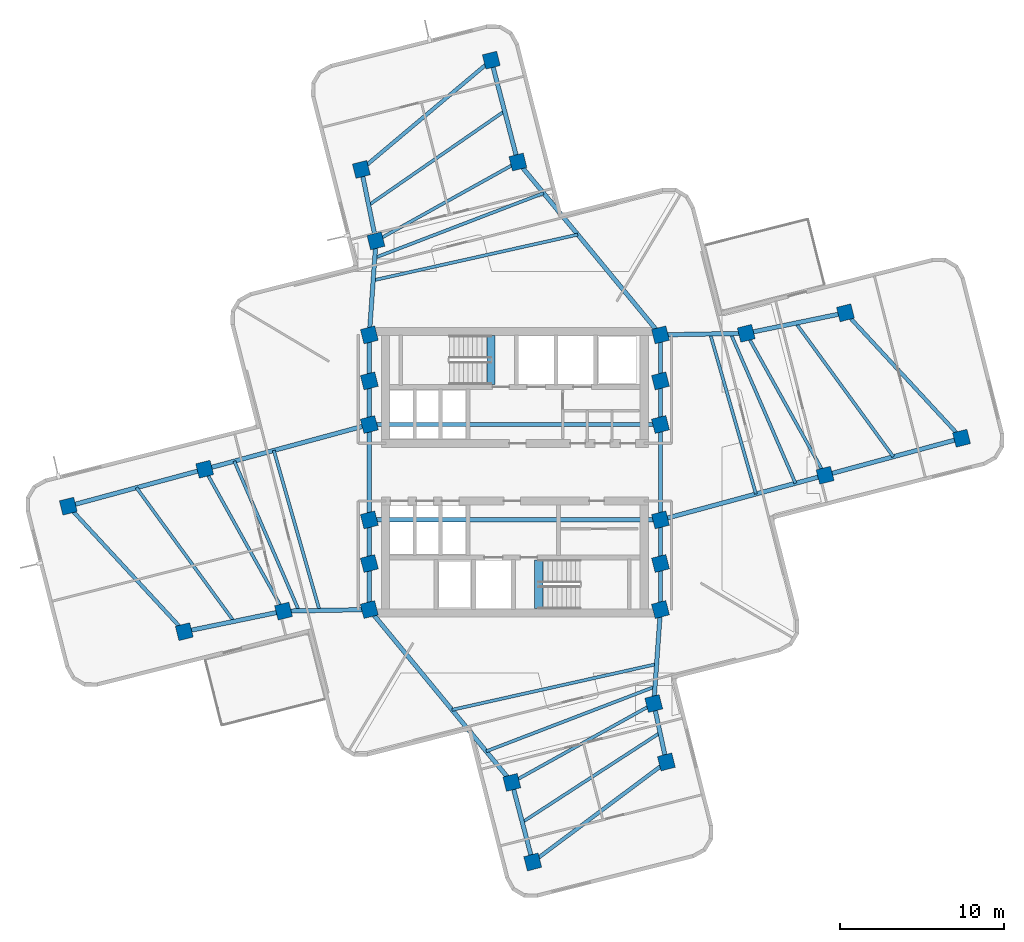
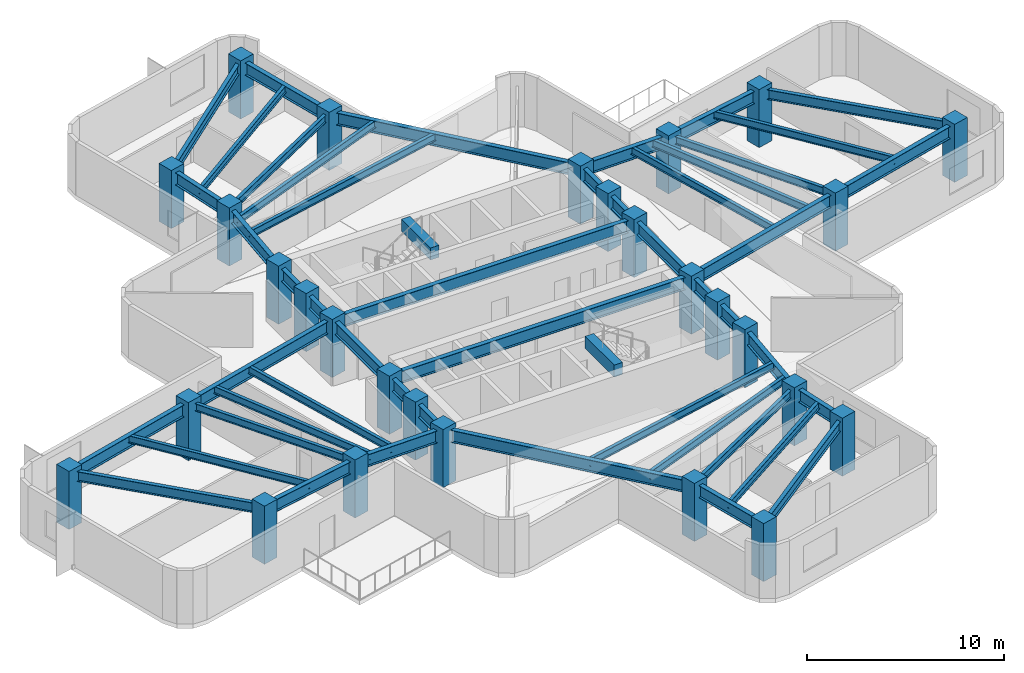
# One storey, part 1 of 9: 50 beams, 28 columns.
"""IFC4 building model written with IfcOpenShell, lengths in metres."""

import ifcopenshell
import ifcopenshell.guid

model = None  # the IFC model being written
_history = None  # IfcOwnerHistory: only IFC2X3 demands one
_inside = {}  # id of a spatial element -> (the spatial element, [elements in it])
_under = {}  # id of a project, library or spatial element -> (it, [spatial elements below it])
_declared = {}  # id of a project -> (the project, [libraries it declares])
_typed = {}  # id of a type object -> (the type object, [elements of that type])
_made_of = {}  # id of a material, layer set ... -> (it, [elements and type objects made of it])


def new_model(schema):
    """Start an empty IFC model of exactly this schema.

    Asked for "IFC4X3", IfcOpenShell would pick the latest addendum, in which some entities
    have other attributes; the version numbers below select the first issue.
    IFC2X3 requires an IfcOwnerHistory on every rooted entity: one is made here for all.
    """
    global model, _history
    if schema == "IFC4X3":
        model = ifcopenshell.file(schema_version=(4, 3, 0, 0))
    else:
        model = ifcopenshell.file(schema=schema)
    _inside.clear()
    _under.clear()
    _declared.clear()
    _typed.clear()
    _made_of.clear()
    _history = None
    if model.schema == "IFC2X3":
        org = make("IfcOrganization", Name="unknown")
        user = make(
            "IfcPersonAndOrganization",
            ThePerson=make("IfcPerson", FamilyName="unknown"),
            TheOrganization=org,
        )
        app = make(
            "IfcApplication",
            ApplicationDeveloper=org,
            Version="unknown",
            ApplicationFullName="unknown",
            ApplicationIdentifier="unknown",
        )
        _history = make(
            "IfcOwnerHistory",
            OwningUser=user,
            OwningApplication=app,
            ChangeAction="ADDED",
            CreationDate=0,
        )
    return model


def make(cls, **values):
    """One entity of the class cls with the attributes given. An attribute that is None is left unset."""
    return model.create_entity(
        cls, **{name: value for name, value in values.items() if value is not None}
    )


def rooted(cls, **values):
    """An entity with a GlobalId (a new one), such as an element, a storey or a relation."""
    return make(cls, GlobalId=ifcopenshell.guid.new(), OwnerHistory=_history, **values)


def si_unit(unit_type, name, prefix=None):
    """IfcSIUnit, for example si_unit("LENGTHUNIT", "METRE", prefix="MILLI")."""
    return make("IfcSIUnit", UnitType=unit_type, Prefix=prefix, Name=name)


def assignment(units):
    """IfcUnitAssignment: the units of a project."""
    return None if units is None else make("IfcUnitAssignment", Units=units)


def point(xyz):
    """IfcCartesianPoint."""
    return None if xyz is None else make("IfcCartesianPoint", Coordinates=xyz)


def direction(xyz):
    """IfcDirection."""
    return None if xyz is None else make("IfcDirection", DirectionRatios=xyz)


def frame(location, z_axis=None, x_axis=None):
    """IfcAxis2Placement3D, a coordinate frame: its origin and axes. An axis left out is left unset."""
    return make(
        "IfcAxis2Placement3D",
        Location=point(location),
        Axis=direction(z_axis),
        RefDirection=direction(x_axis),
    )


def frame_2d(location, x_axis=None):
    """IfcAxis2Placement2D, a coordinate frame in the plane: its origin and x axis."""
    return make(
        "IfcAxis2Placement2D", Location=point(location), RefDirection=direction(x_axis)
    )


def origin():
    """The frame at (0, 0, 0) with its axes left unset."""
    return frame((0.0, 0.0, 0.0))


def origin_2d():
    """The frame at (0, 0) in the plane with its x axis left unset."""
    return frame_2d((0.0, 0.0))


def place(relative_to, where):
    """IfcLocalPlacement: puts the frame where relative to a parent placement (None: the world)."""
    return make(
        "IfcLocalPlacement", PlacementRelTo=relative_to, RelativePlacement=where
    )


def context(
    kind, dimensions, precision=None, world=None, true_north=None, identifier=None
):
    """IfcGeometricRepresentationContext, for example the 3D "Model" context."""
    return make(
        "IfcGeometricRepresentationContext",
        ContextIdentifier=identifier,
        ContextType=kind,
        CoordinateSpaceDimension=dimensions,
        Precision=precision,
        WorldCoordinateSystem=world,
        TrueNorth=true_north,
    )


def subcontext(parent, identifier, kind, view, scale=None):
    """IfcGeometricRepresentationSubContext, for example "Body" below "Model"."""
    return make(
        "IfcGeometricRepresentationSubContext",
        ContextIdentifier=identifier,
        ContextType=kind,
        ParentContext=parent,
        TargetScale=scale,
        TargetView=view,
    )


def project(units=None, contexts=None):
    """IfcProject with its units and contexts."""
    return rooted(
        "IfcProject",
        Name="project",
        RepresentationContexts=contexts,
        UnitsInContext=assignment(units),
    )


def spatial(cls, under=None, at=None, **own):
    """A site, building, storey or space (cls), placed at a placement, below another one or the project."""
    s = rooted(cls, ObjectPlacement=at, **own)
    if under is not None:
        _under.setdefault(under.id(), (under, []))[1].append(s)
    return s


def profile(cls, at=None, kind="AREA", **sizes):
    """A parametric profile (cls). Its sizes go by their IFC names, for example OverallWidth=200.0."""
    return make(cls, ProfileType=kind, Position=at, **sizes)


def rectangle(**sizes):
    """IfcRectangleProfileDef."""
    return profile("IfcRectangleProfileDef", **sizes)


def i_section(**sizes):
    """IfcIShapeProfileDef."""
    return profile("IfcIShapeProfileDef", **sizes)


def extrude(swept, where, along, depth):
    """IfcExtrudedAreaSolid: the profile swept, set in the frame where, extruded along a direction by depth."""
    return make(
        "IfcExtrudedAreaSolid",
        SweptArea=swept,
        Position=where,
        ExtrudedDirection=direction(along),
        Depth=depth,
    )


def shape(context_of_items, identifier, shape_type, items):
    """IfcShapeRepresentation: the items that make up one representation, for example the "Body"."""
    return make(
        "IfcShapeRepresentation",
        ContextOfItems=context_of_items,
        RepresentationIdentifier=identifier,
        RepresentationType=shape_type,
        Items=items,
    )


def material(Name=None, Category=None):
    """IfcMaterial."""
    return make("IfcMaterial", Name=Name, Category=Category)


def material_profile(
    of_material, cross_section, Name=None, Category=None, Priority=None
):
    """IfcMaterialProfile: a cross section and its material."""
    return make(
        "IfcMaterialProfile",
        Name=Name,
        Material=of_material,
        Profile=cross_section,
        Priority=Priority,
        Category=Category,
    )


def profile_set(profiles, Name=None, composite=None):
    """IfcMaterialProfileSet."""
    return make(
        "IfcMaterialProfileSet",
        Name=Name,
        MaterialProfiles=profiles,
        CompositeProfile=composite,
    )


def made_of(thing, what):
    """Note that an element or type object is made of a material, layer set ...; save() writes the relation."""
    if what is not None:
        _made_of.setdefault(what.id(), (what, []))[1].append(thing)
    return thing


def type_object(cls, material=None, **own):
    """A type object (cls), such as IfcWallType, which elements share."""
    return made_of(rooted(cls, **own), material)


def element(
    cls,
    number,
    at=None,
    inside=None,
    cuts=None,
    type_object=None,
    material=None,
    context=None,
    identifier="Body",
    shape_type=None,
    held_by="IfcProductDefinitionShape",
    body=None,
    shapes=None,
    **own,
):
    """One element of the class cls, such as IfcWall. Its Tag is "e" and its number.

    at: its placement. inside: the storey or other place that contains it. cuts: it is an
    opening in that element (IfcRelVoidsElement). A single representation is given by context,
    identifier, shape_type and body (its items); several are given by shapes. held_by: the class
    of the entity that holds the representations. save() writes the other relations.
    """
    e = rooted(cls, Tag="e%d" % number, ObjectPlacement=at, **own)
    if body is not None:
        shapes = [shape(context, identifier, shape_type, body)]
    if shapes is not None:
        e.Representation = make(held_by, Representations=shapes)
    if inside is not None:
        _inside.setdefault(inside.id(), (inside, []))[1].append(e)
    if cuts is not None:
        rooted(
            "IfcRelVoidsElement", RelatingBuildingElement=cuts, RelatedOpeningElement=e
        )
    if type_object is not None:
        _typed.setdefault(type_object.id(), (type_object, []))[1].append(e)
    return made_of(e, material)


def aggregate(whole, parts):
    """IfcRelAggregates: a whole, such as a stair, and the parts it consists of."""
    return rooted("IfcRelAggregates", RelatingObject=whole, RelatedObjects=parts)


def save(model, path):
    """Write the relations noted so far, then the file.

    IfcRelAggregates (storeys below a building ...), IfcRelContainedInSpatialStructure (elements
    in a storey), IfcRelDefinesByType, IfcRelAssociatesMaterial and IfcRelDeclares: one each for
    every whole, place, type object, material and project.
    """
    for whole, parts in _under.values():
        aggregate(whole, parts)
    for where, things in _inside.values():
        rooted(
            "IfcRelContainedInSpatialStructure",
            RelatedElements=things,
            RelatingStructure=where,
        )
    for kind, things in _typed.values():
        rooted("IfcRelDefinesByType", RelatedObjects=things, RelatingType=kind)
    for what, things in _made_of.values():
        rooted("IfcRelAssociatesMaterial", RelatedObjects=things, RelatingMaterial=what)
    for by, libraries in _declared.values():
        rooted("IfcRelDeclares", RelatingContext=by, RelatedDefinitions=libraries)
    model.write(path)


model = new_model("IFC4")

# Units and contexts
model_context = context("Model", 3, precision=1e-05, world=origin(), true_north=direction((0.0, 1.0)))
body_context = subcontext(model_context, "Body", "Model", "MODEL_VIEW")
ifc_project = project(units=[si_unit("LENGTHUNIT", "METRE"), si_unit("AREAUNIT", "SQUARE_METRE"), si_unit("VOLUMEUNIT", "CUBIC_METRE"), si_unit("PLANEANGLEUNIT", "RADIAN"), si_unit("MASSUNIT", "GRAM", prefix="KILO")], contexts=[model_context])

# Site, building, storey
site_placement = place(None, origin())
site = spatial("IfcSite", under=ifc_project, at=site_placement, CompositionType="ELEMENT")
building_placement = place(site_placement, origin())
building = spatial("IfcBuilding", under=site, at=building_placement, Name="Solmarez Civic Tower", CompositionType="ELEMENT")
storey_placement = place(building_placement, frame((0.0, 0.0, 130.679931640625)))
storey = spatial("IfcBuildingStorey", under=building, at=storey_placement, Name="L34", CompositionType="ELEMENT", Elevation=130.679931640625)

# Columns
ifc_material_1 = material(Name="Concrete C50/60", Category="concrete")
ifc_material_profile_1 = material_profile(ifc_material_1, rectangle(XDim=0.89990234375, YDim=0.89990234375, at=origin_2d()), Name="RC900X900")
ifc_profile_set_1 = profile_set([ifc_material_profile_1], Name="Concrete C50/60")
column_type = type_object("IfcColumnType", Name="COL-RC900", PredefinedType="COLUMN", material=ifc_profile_set_1)
for number, where, z_axis, x_axis, name in (
    (1, (-8.85009765625, -5.550048828125, 0.0), (0.0, 0.0, 1.0), (0.969445349895, 0.245307385879, 0.0), "L34 Structural Column HC1"),
    (2, (-8.85009765625, -2.89990234375, 0.0), (0.0, 0.0, 1.0), (0.969445349895, 0.245307385879, 0.0), "L34 Structural Column HC2"),
    (3, (-8.85009765625, 2.89990234375, 0.0), (0.0, 0.0, 1.0), (0.969445349895, 0.245307385879, 0.0), "L34 Structural Column HC3"),
    (4, (-8.85009765625, 5.550048828125, 0.0), (0.0, 0.0, 1.0), (0.969445349895, 0.245307385879, 0.0), "L34 Structural Column HC4"),
    (5, (8.85009765625, -5.550048828125, 0.0), (0.0, 0.0, 1.0), (0.969445349895, 0.245307385879, 0.0), "L34 Structural Column HC5"),
    (6, (8.85009765625, -2.89990234375, 0.0), (0.0, 0.0, 1.0), (0.969445349895, 0.245307385879, 0.0), "L34 Structural Column HC6"),
    (7, (8.85009765625, 2.89990234375, 0.0), (0.0, 0.0, 1.0), (0.969445349895, 0.245307385879, 0.0), "L34 Structural Column HC7"),
    (8, (8.85009765625, 5.550048828125, 0.0), (0.0, 0.0, 1.0), (0.969445349895, 0.245307385879, 0.0), "L34 Structural Column HC8"),
    (9, (-8.85009765625, 8.35009765625, 0.0), (0.0, 0.0, 1.0), (0.969445349895, 0.245307385879, 0.0), "L34 Structural Column HC9"),
    (10, (8.85009765625, -8.35009765625, 0.0), (0.0, 0.0, 1.0), (0.969445349895, 0.245307385879, 0.0), "L34 Structural Column HC10"),
    (11, (8.85009765625, 8.35009765625, 0.0), (0.0, 0.0, 1.0), (0.969445349895, 0.245307385879, 0.0), "L34 Structural Column HC11"),
    (12, (-8.85009765625, -8.35009765625, 0.0), (0.0, 0.0, 1.0), (0.969445349895, 0.245307385879, 0.0), "L34 Structural Column HC12"),
    (13, (18.860107421875, -0.18310546875, 0.0), (0.0, 0.0, 1.0), (0.969445349895, 0.245307385879, 0.0), "L34 Structural Column EA11"),
    (14, (14.06396484375, 8.445068359375, 0.0), (0.0, 0.0, 1.0), (0.969445349895, 0.245307385879, 0.0), "L34 Structural Column EA12"),
    (15, (27.153076171875, 2.06396484375, 0.0), (0.0, 0.0, 1.0), (0.969445349895, 0.245307385879, 0.0), "L34 Structural Column EA21"),
    (16, (20.097900390625, 9.69189453125, 0.0), (0.0, 0.0, 1.0), (0.969445349895, 0.245307385879, 0.0), "L34 Structural Column EA22"),
    (17, (0.18310546875, 18.860107421875, 0.0), (0.0, 0.0, 1.0), (0.969445349895, 0.245307385879, 0.0), "L34 Structural Column NA11"),
    (18, (-8.445068359375, 14.06396484375, 0.0), (0.0, 0.0, 1.0), (0.969445349895, 0.245307385879, 0.0), "L34 Structural Column NA12"),
    (19, (-1.43701171875, 25.052001953125, 0.0), (0.0, 0.0, 1.0), (0.969445349895, 0.245307385879, 0.0), "L34 Structural Column NA21"),
    (20, (-9.3330078125, 18.408935546875, 0.0), (0.0, 0.0, 1.0), (0.969445349895, 0.245307385879, 0.0), "L34 Structural Column NA22"),
    (21, (-18.860107421875, 0.18310546875, 0.0), (0.0, 0.0, 1.0), (0.969445349895, 0.245307385879, 0.0), "L34 Structural Column WA11"),
    (22, (-14.06396484375, -8.445068359375, 0.0), (0.0, 0.0, 1.0), (0.969445349895, 0.245307385879, 0.0), "L34 Structural Column WA12"),
    (23, (-27.153076171875, -2.06396484375, 0.0), (0.0, 0.0, 1.0), (0.969445349895, 0.245307385879, 0.0), "L34 Structural Column WA21"),
    (24, (-20.097900390625, -9.69189453125, 0.0), (0.0, 0.0, 1.0), (0.969445349895, 0.245307385879, 0.0), "L34 Structural Column WA22"),
    (25, (-0.18310546875, -18.860107421875, 0.0), (0.0, 0.0, 1.0), (0.969445349895, 0.245307385879, 0.0), "L34 Structural Column SA11"),
    (26, (8.445068359375, -14.06396484375, 0.0), (0.0, 0.0, 1.0), (0.969445349895, 0.245307385879, 0.0), "L34 Structural Column SA12"),
    (27, (1.0830078125, -23.697021484375, 0.0), (0.0, 0.0, 1.0), (0.969445349895, 0.245307385879, 0.0), "L34 Structural Column SA21"),
    (28, (9.2080078125, -17.614990234375, 0.0), (0.0, 0.0, 1.0), (0.969445349895, 0.245307385879, 0.0), "L34 Structural Column SA22"),
):
    element("IfcColumn", number, at=place(storey_placement, frame(where, z_axis=z_axis, x_axis=x_axis)), inside=storey, type_object=column_type, Name=name, PredefinedType="COLUMN", context=body_context, shape_type="SweptSolid", body=[
        extrude(rectangle(XDim=0.89990234375, YDim=0.89990234375, at=origin_2d()), origin(), (0.0, 0.0, 1.0), 3.60009765625),
    ])

# Beams
ifc_material_2 = material(Name="Steel S355", Category="steel")
ifc_material_profile_2 = material_profile(ifc_material_2, i_section(OverallWidth=0.19189453125, OverallDepth=0.462890625, WebThickness=0.010498046875, FlangeThickness=0.017578125, at=origin_2d()), Name="W18X60")
ifc_profile_set_2 = profile_set([ifc_material_profile_2], Name="Steel S355")
beam_type_1 = type_object("IfcBeamType", Name="BM-JS-W18X60", PredefinedType="JOIST", material=ifc_profile_set_2)
beam_1_placement = place(storey_placement, frame((18.860107421875, -0.18310546875, 3.088134765625), z_axis=(-0.485852902718, 0.874040592261, 0.0), x_axis=(-0.874040592261, -0.485852902718, 0.0)))
element("IfcBeam", 29, at=beam_1_placement, inside=storey, type_object=beam_type_1, Name="L34 Secondary Floor Joist BM-L34-EA-T1", PredefinedType="JOIST", context=body_context, shape_type="SweptSolid", body=[
    extrude(i_section(OverallWidth=0.19189453125, OverallDepth=0.462890625, WebThickness=0.010498046875, FlangeThickness=0.017578125, at=origin_2d()), origin(), (0.0, 0.0, 1.0), 9.87158203125),
])
beam_2_placement = place(storey_placement, frame((23.006103515625, 0.94091796875, 3.088134765625), z_axis=(-0.589058914091, 0.808090091345, 0.0), x_axis=(-0.808090091345, -0.589058914091, 0.0)))
element("IfcBeam", 30, at=beam_2_placement, inside=storey, type_object=beam_type_1, Name="L34 Secondary Floor Joist JS-L34-EA-M2", PredefinedType="JOIST", context=body_context, shape_type="SweptSolid", body=[
    extrude(i_section(OverallWidth=0.19189453125, OverallDepth=0.462890625, WebThickness=0.010498046875, FlangeThickness=0.017578125, at=origin_2d()), origin(), (0.0, 0.0, 1.0), 10.05859375),
])
beam_3_placement = place(storey_placement, frame((14.656005859375, -1.323974609375, 3.088134765625), z_axis=(-0.27492825036, 0.961464745664, 0.0), x_axis=(-0.961464745664, -0.27492825036, 0.0)))
element("IfcBeam", 31, at=beam_3_placement, inside=storey, type_object=beam_type_1, Name="L34 Secondary Floor Joist JS-L34-EA-M11", PredefinedType="JOIST", context=body_context, shape_type="SweptSolid", body=[
    extrude(i_section(OverallWidth=0.19189453125, OverallDepth=0.462890625, WebThickness=0.010498046875, FlangeThickness=0.017578125, at=origin_2d()), origin(), (0.0, 0.0, 1.0), 10.118896484375),
])
beam_4_placement = place(storey_placement, frame((17.05810546875, -0.672119140625, 3.088134765625), z_axis=(-0.396735074316, 0.917933157048, 0.0), x_axis=(-0.917933157048, -0.396735074316, 0.0)))
element("IfcBeam", 32, at=beam_4_placement, inside=storey, type_object=beam_type_1, Name="L34 Secondary Floor Joist JS-L34-EA-M12", PredefinedType="JOIST", context=body_context, shape_type="SweptSolid", body=[
    extrude(i_section(OverallWidth=0.19189453125, OverallDepth=0.462890625, WebThickness=0.010498046875, FlangeThickness=0.017578125, at=origin_2d()), origin(), (0.0, 0.0, 1.0), 9.91357421875),
])
beam_5_placement = place(storey_placement, frame((0.18310546875, 18.860107421875, 3.088134765625), z_axis=(-0.874040592261, -0.485852902718, 0.0), x_axis=(0.485852902718, -0.874040592261, 0.0)))
element("IfcBeam", 33, at=beam_5_placement, inside=storey, type_object=beam_type_1, Name="L34 Secondary Floor Joist BM-L34-NA-T1", PredefinedType="JOIST", context=body_context, shape_type="SweptSolid", body=[
    extrude(i_section(OverallWidth=0.19189453125, OverallDepth=0.462890625, WebThickness=0.010498046875, FlangeThickness=0.017578125, at=origin_2d()), origin(), (0.0, 0.0, 1.0), 9.87158203125),
])
beam_6_placement = place(storey_placement, frame((-0.626953125, 21.9560546875, 3.088134765625), z_axis=(-0.822185194468, -0.56922008573, 0.0), x_axis=(0.56922008573, -0.822185194468, 0.0)))
element("IfcBeam", 34, at=beam_6_placement, inside=storey, type_object=beam_type_1, Name="L34 Secondary Floor Joist JS-L34-NA-M2", PredefinedType="JOIST", context=body_context, shape_type="SweptSolid", body=[
    extrude(i_section(OverallWidth=0.19189453125, OverallDepth=0.462890625, WebThickness=0.010498046875, FlangeThickness=0.017578125, at=origin_2d()), origin(), (0.0, 0.0, 1.0), 10.048828125),
])
beam_7_placement = place(storey_placement, frame((3.822998046875, 14.446044921875, 3.088134765625), z_axis=(-0.975887310906, -0.218274955988, 0.0), x_axis=(0.218274955988, -0.975887310906, 0.0)))
element("IfcBeam", 35, at=beam_7_placement, inside=storey, type_object=beam_type_1, Name="L34 Secondary Floor Joist JS-L34-NA-M11", PredefinedType="JOIST", context=body_context, shape_type="SweptSolid", body=[
    extrude(i_section(OverallWidth=0.19189453125, OverallDepth=0.462890625, WebThickness=0.010498046875, FlangeThickness=0.017578125, at=origin_2d()), origin(), (0.0, 0.0, 1.0), 12.745361328125),
])
beam_8_placement = place(storey_placement, frame((1.742919921875, 16.968017578125, 3.088134765625), z_axis=(-0.933754408709, -0.357914381125, 0.0), x_axis=(0.357914381125, -0.933754408709, 0.0)))
element("IfcBeam", 36, at=beam_8_placement, inside=storey, type_object=beam_type_1, Name="L34 Secondary Floor Joist JS-L34-NA-M12", PredefinedType="JOIST", context=body_context, shape_type="SweptSolid", body=[
    extrude(i_section(OverallWidth=0.19189453125, OverallDepth=0.462890625, WebThickness=0.010498046875, FlangeThickness=0.017578125, at=origin_2d()), origin(), (0.0, 0.0, 1.0), 10.989013671875),
])
beam_9_placement = place(storey_placement, frame((-18.860107421875, 0.18310546875, 3.088134765625), z_axis=(0.485852902718, -0.874040592261, 0.0), x_axis=(0.874040592261, 0.485852902718, 0.0)))
element("IfcBeam", 37, at=beam_9_placement, inside=storey, type_object=beam_type_1, Name="L34 Secondary Floor Joist BM-L34-WA-T1", PredefinedType="JOIST", context=body_context, shape_type="SweptSolid", body=[
    extrude(i_section(OverallWidth=0.19189453125, OverallDepth=0.462890625, WebThickness=0.010498046875, FlangeThickness=0.017578125, at=origin_2d()), origin(), (0.0, 0.0, 1.0), 9.87158203125),
])
beam_10_placement = place(storey_placement, frame((-23.006103515625, -0.94091796875, 3.088134765625), z_axis=(0.589058914091, -0.808090091345, 0.0), x_axis=(0.808090091345, 0.589058914091, 0.0)))
element("IfcBeam", 38, at=beam_10_placement, inside=storey, type_object=beam_type_1, Name="L34 Secondary Floor Joist JS-L34-WA-M2", PredefinedType="JOIST", context=body_context, shape_type="SweptSolid", body=[
    extrude(i_section(OverallWidth=0.19189453125, OverallDepth=0.462890625, WebThickness=0.010498046875, FlangeThickness=0.017578125, at=origin_2d()), origin(), (0.0, 0.0, 1.0), 10.05859375),
])
beam_11_placement = place(storey_placement, frame((-14.656005859375, 1.323974609375, 3.088134765625), z_axis=(0.27492825036, -0.961464745664, 0.0), x_axis=(0.961464745664, 0.27492825036, 0.0)))
element("IfcBeam", 39, at=beam_11_placement, inside=storey, type_object=beam_type_1, Name="L34 Secondary Floor Joist JS-L34-WA-M11", PredefinedType="JOIST", context=body_context, shape_type="SweptSolid", body=[
    extrude(i_section(OverallWidth=0.19189453125, OverallDepth=0.462890625, WebThickness=0.010498046875, FlangeThickness=0.017578125, at=origin_2d()), origin(), (0.0, 0.0, 1.0), 10.118896484375),
])
beam_12_placement = place(storey_placement, frame((-17.05810546875, 0.672119140625, 3.088134765625), z_axis=(0.396735074316, -0.917933157048, 0.0), x_axis=(0.917933157048, 0.396735074316, 0.0)))
element("IfcBeam", 40, at=beam_12_placement, inside=storey, type_object=beam_type_1, Name="L34 Secondary Floor Joist JS-L34-WA-M12", PredefinedType="JOIST", context=body_context, shape_type="SweptSolid", body=[
    extrude(i_section(OverallWidth=0.19189453125, OverallDepth=0.462890625, WebThickness=0.010498046875, FlangeThickness=0.017578125, at=origin_2d()), origin(), (0.0, 0.0, 1.0), 9.91357421875),
])
beam_13_placement = place(storey_placement, frame((-0.18310546875, -18.860107421875, 3.088134765625), z_axis=(0.874040592261, 0.485852902718, 0.0), x_axis=(-0.485852902718, 0.874040592261, 0.0)))
element("IfcBeam", 41, at=beam_13_placement, inside=storey, type_object=beam_type_1, Name="L34 Secondary Floor Joist BM-L34-SA-T1", PredefinedType="JOIST", context=body_context, shape_type="SweptSolid", body=[
    extrude(i_section(OverallWidth=0.19189453125, OverallDepth=0.462890625, WebThickness=0.010498046875, FlangeThickness=0.017578125, at=origin_2d()), origin(), (0.0, 0.0, 1.0), 9.87158203125),
])
beam_14_placement = place(storey_placement, frame((0.449951171875, -21.279052734375, 3.088134765625), z_axis=(0.83864684805, 0.54467555871, 0.0), x_axis=(-0.54467555871, 0.83864684805, 0.0)))
element("IfcBeam", 42, at=beam_14_placement, inside=storey, type_object=beam_type_1, Name="L34 Secondary Floor Joist JS-L34-SA-M2", PredefinedType="JOIST", context=body_context, shape_type="SweptSolid", body=[
    extrude(i_section(OverallWidth=0.19189453125, OverallDepth=0.462890625, WebThickness=0.010498046875, FlangeThickness=0.017578125, at=origin_2d()), origin(), (0.0, 0.0, 1.0), 9.987548828125),
])
beam_15_placement = place(storey_placement, frame((-3.822998046875, -14.446044921875, 3.088134765625), z_axis=(0.975887310906, 0.218274955988, 0.0), x_axis=(-0.218274955988, 0.975887310906, 0.0)))
element("IfcBeam", 43, at=beam_15_placement, inside=storey, type_object=beam_type_1, Name="L34 Secondary Floor Joist JS-L34-SA-M11", PredefinedType="JOIST", context=body_context, shape_type="SweptSolid", body=[
    extrude(i_section(OverallWidth=0.19189453125, OverallDepth=0.462890625, WebThickness=0.010498046875, FlangeThickness=0.017578125, at=origin_2d()), origin(), (0.0, 0.0, 1.0), 12.745361328125),
])
beam_16_placement = place(storey_placement, frame((-1.742919921875, -16.968017578125, 3.088134765625), z_axis=(0.933754408709, 0.357914381125, 0.0), x_axis=(-0.357914381125, 0.933754408709, 0.0)))
element("IfcBeam", 44, at=beam_16_placement, inside=storey, type_object=beam_type_1, Name="L34 Secondary Floor Joist JS-L34-SA-M12", PredefinedType="JOIST", context=body_context, shape_type="SweptSolid", body=[
    extrude(i_section(OverallWidth=0.19189453125, OverallDepth=0.462890625, WebThickness=0.010498046875, FlangeThickness=0.017578125, at=origin_2d()), origin(), (0.0, 0.0, 1.0), 10.989013671875),
])
ifc_material_profile_3 = material_profile(ifc_material_1, rectangle(XDim=0.5, YDim=0.75, at=origin_2d()), Name="RC500X750")
ifc_profile_set_3 = profile_set([ifc_material_profile_3], Name="Concrete C50/60")
beam_type_2 = type_object("IfcBeamType", Name="BM-PR-RC500X750", PredefinedType="BEAM", material=ifc_profile_set_3)
for number, where, z_axis, x_axis, name in (
    (45, (-1.449951171875, 5.340087890625, 3.233154296875), (0.0, 1.0, 0.0), (-1.0, 0.0, 0.0), "L34 North Stair Threshold Beam"),
    (46, (1.449951171875, -8.300048828125, 3.233154296875), (0.0, 1.0, 0.0), (-1.0, 0.0, 0.0), "L34 South Stair Threshold Beam"),
):
    element("IfcBeam", number, at=place(storey_placement, frame(where, z_axis=z_axis, x_axis=x_axis)), inside=storey, type_object=beam_type_2, Name=name, PredefinedType="BEAM", context=body_context, shape_type="SweptSolid", body=[
        extrude(rectangle(XDim=0.5, YDim=0.75, at=origin_2d()), origin(), (0.0, 0.0, 1.0), 2.9599609375),
    ])
ifc_material_profile_4 = material_profile(ifc_material_2, i_section(OverallWidth=0.26708984375, OverallDepth=0.761962890625, WebThickness=0.014404296875, FlangeThickness=0.021484375, at=origin_2d()), Name="W30X116")
ifc_profile_set_4 = profile_set([ifc_material_profile_4], Name="Steel S355")
beam_type_3 = type_object("IfcBeamType", Name="BM-PR-W30X116", PredefinedType="BEAM", material=ifc_profile_set_4)
beam_17_placement = place(storey_placement, frame((-8.85009765625, -8.35009765625, 2.93896484375), z_axis=(0.0, 1.0, 0.0), x_axis=(-1.0, 0.0, 0.0)))
element("IfcBeam", 47, at=beam_17_placement, inside=storey, type_object=beam_type_3, Name="L34 Primary Floor Beam BM-L34-HC12-HC1", PredefinedType="BEAM", context=body_context, shape_type="SweptSolid", body=[
    extrude(i_section(OverallWidth=0.26708984375, OverallDepth=0.761962890625, WebThickness=0.014404296875, FlangeThickness=0.021484375, at=origin_2d()), origin(), (0.0, 0.0, 1.0), 2.800048828125),
])
beam_18_placement = place(storey_placement, frame((-8.85009765625, -5.550048828125, 2.93896484375), z_axis=(0.0, 1.0, 0.0), x_axis=(-1.0, 0.0, 0.0)))
element("IfcBeam", 48, at=beam_18_placement, inside=storey, type_object=beam_type_3, Name="L34 Primary Floor Beam BM-L34-HC1-HC2", PredefinedType="BEAM", context=body_context, shape_type="SweptSolid", body=[
    extrude(i_section(OverallWidth=0.26708984375, OverallDepth=0.761962890625, WebThickness=0.014404296875, FlangeThickness=0.021484375, at=origin_2d()), origin(), (0.0, 0.0, 1.0), 2.650146484375),
])
beam_19_placement = place(storey_placement, frame((-8.85009765625, -2.89990234375, 2.93896484375), z_axis=(0.0, 1.0, 0.0), x_axis=(-1.0, 0.0, 0.0)))
element("IfcBeam", 49, at=beam_19_placement, inside=storey, type_object=beam_type_3, Name="L34 Primary Floor Beam BM-L34-HC2-HC3", PredefinedType="BEAM", context=body_context, shape_type="SweptSolid", body=[
    extrude(i_section(OverallWidth=0.26708984375, OverallDepth=0.761962890625, WebThickness=0.014404296875, FlangeThickness=0.021484375, at=origin_2d()), origin(), (0.0, 0.0, 1.0), 5.7998046875),
])
beam_20_placement = place(storey_placement, frame((-8.85009765625, 2.89990234375, 2.93896484375), z_axis=(0.0, 1.0, 0.0), x_axis=(-1.0, 0.0, 0.0)))
element("IfcBeam", 50, at=beam_20_placement, inside=storey, type_object=beam_type_3, Name="L34 Primary Floor Beam BM-L34-HC3-HC4", PredefinedType="BEAM", context=body_context, shape_type="SweptSolid", body=[
    extrude(i_section(OverallWidth=0.26708984375, OverallDepth=0.761962890625, WebThickness=0.014404296875, FlangeThickness=0.021484375, at=origin_2d()), origin(), (0.0, 0.0, 1.0), 2.650146484375),
])
for number, where, z_axis, x_axis, name in (
    (51, (-8.85009765625, 5.550048828125, 2.93896484375), (0.0, 1.0, 0.0), (-1.0, 0.0, 0.0), "L34 Primary Floor Beam BM-L34-HC4-HC9"),
    (52, (8.85009765625, -8.35009765625, 2.93896484375), (0.0, 1.0, 0.0), (-1.0, 0.0, 0.0), "L34 Primary Floor Beam BM-L34-HC10-HC5"),
):
    element("IfcBeam", number, at=place(storey_placement, frame(where, z_axis=z_axis, x_axis=x_axis)), inside=storey, type_object=beam_type_3, Name=name, PredefinedType="BEAM", context=body_context, shape_type="SweptSolid", body=[
        extrude(i_section(OverallWidth=0.26708984375, OverallDepth=0.761962890625, WebThickness=0.014404296875, FlangeThickness=0.021484375, at=origin_2d()), origin(), (0.0, 0.0, 1.0), 2.800048828125),
    ])
beam_21_placement = place(storey_placement, frame((8.85009765625, -5.550048828125, 2.93896484375), z_axis=(0.0, 1.0, 0.0), x_axis=(-1.0, 0.0, 0.0)))
element("IfcBeam", 53, at=beam_21_placement, inside=storey, type_object=beam_type_3, Name="L34 Primary Floor Beam BM-L34-HC5-HC6", PredefinedType="BEAM", context=body_context, shape_type="SweptSolid", body=[
    extrude(i_section(OverallWidth=0.26708984375, OverallDepth=0.761962890625, WebThickness=0.014404296875, FlangeThickness=0.021484375, at=origin_2d()), origin(), (0.0, 0.0, 1.0), 2.650146484375),
])
beam_22_placement = place(storey_placement, frame((8.85009765625, -2.89990234375, 2.93896484375), z_axis=(0.0, 1.0, 0.0), x_axis=(-1.0, 0.0, 0.0)))
element("IfcBeam", 54, at=beam_22_placement, inside=storey, type_object=beam_type_3, Name="L34 Primary Floor Beam BM-L34-HC6-HC7", PredefinedType="BEAM", context=body_context, shape_type="SweptSolid", body=[
    extrude(i_section(OverallWidth=0.26708984375, OverallDepth=0.761962890625, WebThickness=0.014404296875, FlangeThickness=0.021484375, at=origin_2d()), origin(), (0.0, 0.0, 1.0), 5.7998046875),
])
beam_23_placement = place(storey_placement, frame((8.85009765625, 2.89990234375, 2.93896484375), z_axis=(0.0, 1.0, 0.0), x_axis=(-1.0, 0.0, 0.0)))
element("IfcBeam", 55, at=beam_23_placement, inside=storey, type_object=beam_type_3, Name="L34 Primary Floor Beam BM-L34-HC7-HC8", PredefinedType="BEAM", context=body_context, shape_type="SweptSolid", body=[
    extrude(i_section(OverallWidth=0.26708984375, OverallDepth=0.761962890625, WebThickness=0.014404296875, FlangeThickness=0.021484375, at=origin_2d()), origin(), (0.0, 0.0, 1.0), 2.650146484375),
])
beam_24_placement = place(storey_placement, frame((8.85009765625, 5.550048828125, 2.93896484375), z_axis=(0.0, 1.0, 0.0), x_axis=(-1.0, 0.0, 0.0)))
element("IfcBeam", 56, at=beam_24_placement, inside=storey, type_object=beam_type_3, Name="L34 Primary Floor Beam BM-L34-HC8-HC11", PredefinedType="BEAM", context=body_context, shape_type="SweptSolid", body=[
    extrude(i_section(OverallWidth=0.26708984375, OverallDepth=0.761962890625, WebThickness=0.014404296875, FlangeThickness=0.021484375, at=origin_2d()), origin(), (0.0, 0.0, 1.0), 2.800048828125),
])
for number, where, z_axis, x_axis, name in (
    (57, (-8.85009765625, -2.89990234375, 2.93896484375), (1.0, 0.0, 0.0), (0.0, 1.0, 0.0), "L34 Primary Floor Beam BM-L34-HC2-HC6"),
    (58, (-8.85009765625, 2.89990234375, 2.93896484375), (1.0, 0.0, 0.0), (0.0, 1.0, 0.0), "L34 Primary Floor Beam BM-L34-HC3-HC7"),
):
    element("IfcBeam", number, at=place(storey_placement, frame(where, z_axis=z_axis, x_axis=x_axis)), inside=storey, type_object=beam_type_3, Name=name, PredefinedType="BEAM", context=body_context, shape_type="SweptSolid", body=[
        extrude(i_section(OverallWidth=0.26708984375, OverallDepth=0.761962890625, WebThickness=0.014404296875, FlangeThickness=0.021484375, at=origin_2d()), origin(), (0.0, 0.0, 1.0), 17.7001953125),
    ])
beam_25_placement = place(storey_placement, frame((8.85009765625, -2.89990234375, 2.93896484375), z_axis=(0.965086289853, 0.261932153691, 0.0), x_axis=(-0.261932153691, 0.965086289853, 0.0)))
element("IfcBeam", 59, at=beam_25_placement, inside=storey, type_object=beam_type_3, Name="L34 Primary Floor Beam BM-L34-EA-R1A", PredefinedType="BEAM", context=body_context, shape_type="SweptSolid", body=[
    extrude(i_section(OverallWidth=0.26708984375, OverallDepth=0.761962890625, WebThickness=0.014404296875, FlangeThickness=0.021484375, at=origin_2d()), origin(), (0.0, 0.0, 1.0), 10.3720703125),
])
beam_26_placement = place(storey_placement, frame((8.85009765625, 8.35009765625, 2.93896484375), z_axis=(0.999834147765, 0.018212000538, 0.0), x_axis=(-0.018212000538, 0.999834147765, 0.0)))
element("IfcBeam", 60, at=beam_26_placement, inside=storey, type_object=beam_type_3, Name="L34 Primary Floor Beam BM-L34-EA-R1B", PredefinedType="BEAM", context=body_context, shape_type="SweptSolid", body=[
    extrude(i_section(OverallWidth=0.26708984375, OverallDepth=0.761962890625, WebThickness=0.014404296875, FlangeThickness=0.021484375, at=origin_2d()), origin(), (0.0, 0.0, 1.0), 5.21484375),
])
beam_27_placement = place(storey_placement, frame((18.860107421875, -0.18310546875, 2.93896484375), z_axis=(0.965195296066, 0.261530190326, 0.0), x_axis=(-0.261530190326, 0.965195296066, 0.0)))
element("IfcBeam", 61, at=beam_27_placement, inside=storey, type_object=beam_type_3, Name="L34 Primary Floor Beam BM-L34-EA-R2A", PredefinedType="BEAM", context=body_context, shape_type="SweptSolid", body=[
    extrude(i_section(OverallWidth=0.26708984375, OverallDepth=0.761962890625, WebThickness=0.014404296875, FlangeThickness=0.021484375, at=origin_2d()), origin(), (0.0, 0.0, 1.0), 8.592041015625),
])
beam_28_placement = place(storey_placement, frame((14.06396484375, 8.445068359375, 2.93896484375), z_axis=(0.979311082476, 0.202360578523, 0.0), x_axis=(-0.202360578523, 0.979311082476, 0.0)))
element("IfcBeam", 62, at=beam_28_placement, inside=storey, type_object=beam_type_3, Name="L34 Primary Floor Beam BM-L34-EA-R2B", PredefinedType="BEAM", context=body_context, shape_type="SweptSolid", body=[
    extrude(i_section(OverallWidth=0.26708984375, OverallDepth=0.761962890625, WebThickness=0.014404296875, FlangeThickness=0.021484375, at=origin_2d()), origin(), (0.0, 0.0, 1.0), 6.161376953125),
])
beam_29_placement = place(storey_placement, frame((8.85009765625, 8.35009765625, 2.93896484375), z_axis=(-0.636218453069, 0.77150896299, 0.0), x_axis=(-0.77150896299, -0.636218453069, 0.0)))
element("IfcBeam", 63, at=beam_29_placement, inside=storey, type_object=beam_type_3, Name="L34 Primary Floor Beam BM-L34-NA-R1A", PredefinedType="BEAM", context=body_context, shape_type="SweptSolid", body=[
    extrude(i_section(OverallWidth=0.26708984375, OverallDepth=0.761962890625, WebThickness=0.014404296875, FlangeThickness=0.021484375, at=origin_2d()), origin(), (0.0, 0.0, 1.0), 13.62255859375),
])
beam_30_placement = place(storey_placement, frame((-8.85009765625, 8.35009765625, 2.93896484375), z_axis=(0.070707897353, 0.997497064282, 0.0), x_axis=(-0.997497064282, 0.070707897353, 0.0)))
element("IfcBeam", 64, at=beam_30_placement, inside=storey, type_object=beam_type_3, Name="L34 Primary Floor Beam BM-L34-NA-R1B", PredefinedType="BEAM", context=body_context, shape_type="SweptSolid", body=[
    extrude(i_section(OverallWidth=0.26708984375, OverallDepth=0.761962890625, WebThickness=0.014404296875, FlangeThickness=0.021484375, at=origin_2d()), origin(), (0.0, 0.0, 1.0), 5.728271484375),
])
beam_31_placement = place(storey_placement, frame((0.18310546875, 18.860107421875, 2.93896484375), z_axis=(-0.25312990791, 0.967432297229, 0.0), x_axis=(-0.967432297229, -0.25312990791, 0.0)))
element("IfcBeam", 65, at=beam_31_placement, inside=storey, type_object=beam_type_3, Name="L34 Primary Floor Beam BM-L34-NA-R2A", PredefinedType="BEAM", context=body_context, shape_type="SweptSolid", body=[
    extrude(i_section(OverallWidth=0.26708984375, OverallDepth=0.761962890625, WebThickness=0.014404296875, FlangeThickness=0.021484375, at=origin_2d()), origin(), (0.0, 0.0, 1.0), 6.400390625),
])
beam_32_placement = place(storey_placement, frame((-8.445068359375, 14.06396484375, 2.93896484375), z_axis=(-0.200222099018, 0.979750535118, 0.0), x_axis=(-0.979750535118, -0.200222099018, 0.0)))
element("IfcBeam", 66, at=beam_32_placement, inside=storey, type_object=beam_type_3, Name="L34 Primary Floor Beam BM-L34-NA-R2B", PredefinedType="BEAM", context=body_context, shape_type="SweptSolid", body=[
    extrude(i_section(OverallWidth=0.26708984375, OverallDepth=0.761962890625, WebThickness=0.014404296875, FlangeThickness=0.021484375, at=origin_2d()), origin(), (0.0, 0.0, 1.0), 4.434814453125),
])
beam_33_placement = place(storey_placement, frame((-8.85009765625, 2.89990234375, 2.93896484375), z_axis=(-0.965086289853, -0.261932153691, 0.0), x_axis=(0.261932153691, -0.965086289853, 0.0)))
element("IfcBeam", 67, at=beam_33_placement, inside=storey, type_object=beam_type_3, Name="L34 Primary Floor Beam BM-L34-WA-R1A", PredefinedType="BEAM", context=body_context, shape_type="SweptSolid", body=[
    extrude(i_section(OverallWidth=0.26708984375, OverallDepth=0.761962890625, WebThickness=0.014404296875, FlangeThickness=0.021484375, at=origin_2d()), origin(), (0.0, 0.0, 1.0), 10.3720703125),
])
beam_34_placement = place(storey_placement, frame((-8.85009765625, -8.35009765625, 2.93896484375), z_axis=(-0.999834147765, -0.018212000538, 0.0), x_axis=(0.018212000538, -0.999834147765, 0.0)))
element("IfcBeam", 68, at=beam_34_placement, inside=storey, type_object=beam_type_3, Name="L34 Primary Floor Beam BM-L34-WA-R1B", PredefinedType="BEAM", context=body_context, shape_type="SweptSolid", body=[
    extrude(i_section(OverallWidth=0.26708984375, OverallDepth=0.761962890625, WebThickness=0.014404296875, FlangeThickness=0.021484375, at=origin_2d()), origin(), (0.0, 0.0, 1.0), 5.21484375),
])
beam_35_placement = place(storey_placement, frame((-18.860107421875, 0.18310546875, 2.93896484375), z_axis=(-0.965195296066, -0.261530190326, 0.0), x_axis=(0.261530190326, -0.965195296066, 0.0)))
element("IfcBeam", 69, at=beam_35_placement, inside=storey, type_object=beam_type_3, Name="L34 Primary Floor Beam BM-L34-WA-R2A", PredefinedType="BEAM", context=body_context, shape_type="SweptSolid", body=[
    extrude(i_section(OverallWidth=0.26708984375, OverallDepth=0.761962890625, WebThickness=0.014404296875, FlangeThickness=0.021484375, at=origin_2d()), origin(), (0.0, 0.0, 1.0), 8.592041015625),
])
beam_36_placement = place(storey_placement, frame((-14.06396484375, -8.445068359375, 2.93896484375), z_axis=(-0.979311082476, -0.202360578523, 0.0), x_axis=(0.202360578523, -0.979311082476, 0.0)))
element("IfcBeam", 70, at=beam_36_placement, inside=storey, type_object=beam_type_3, Name="L34 Primary Floor Beam BM-L34-WA-R2B", PredefinedType="BEAM", context=body_context, shape_type="SweptSolid", body=[
    extrude(i_section(OverallWidth=0.26708984375, OverallDepth=0.761962890625, WebThickness=0.014404296875, FlangeThickness=0.021484375, at=origin_2d()), origin(), (0.0, 0.0, 1.0), 6.161376953125),
])
beam_37_placement = place(storey_placement, frame((-8.85009765625, -8.35009765625, 2.93896484375), z_axis=(0.636218453069, -0.77150896299, 0.0), x_axis=(0.77150896299, 0.636218453069, 0.0)))
element("IfcBeam", 71, at=beam_37_placement, inside=storey, type_object=beam_type_3, Name="L34 Primary Floor Beam BM-L34-SA-R1A", PredefinedType="BEAM", context=body_context, shape_type="SweptSolid", body=[
    extrude(i_section(OverallWidth=0.26708984375, OverallDepth=0.761962890625, WebThickness=0.014404296875, FlangeThickness=0.021484375, at=origin_2d()), origin(), (0.0, 0.0, 1.0), 13.62255859375),
])
beam_38_placement = place(storey_placement, frame((8.85009765625, -8.35009765625, 2.93896484375), z_axis=(-0.070707897353, -0.997497064282, 0.0), x_axis=(0.997497064282, -0.070707897353, 0.0)))
element("IfcBeam", 72, at=beam_38_placement, inside=storey, type_object=beam_type_3, Name="L34 Primary Floor Beam BM-L34-SA-R1B", PredefinedType="BEAM", context=body_context, shape_type="SweptSolid", body=[
    extrude(i_section(OverallWidth=0.26708984375, OverallDepth=0.761962890625, WebThickness=0.014404296875, FlangeThickness=0.021484375, at=origin_2d()), origin(), (0.0, 0.0, 1.0), 5.728271484375),
])
beam_39_placement = place(storey_placement, frame((-0.18310546875, -18.860107421875, 2.93896484375), z_axis=(0.253228832632, -0.967406408043, 0.0), x_axis=(0.967406408043, 0.253228832632, 0.0)))
element("IfcBeam", 73, at=beam_39_placement, inside=storey, type_object=beam_type_3, Name="L34 Primary Floor Beam BM-L34-SA-R2A", PredefinedType="BEAM", context=body_context, shape_type="SweptSolid", body=[
    extrude(i_section(OverallWidth=0.26708984375, OverallDepth=0.761962890625, WebThickness=0.014404296875, FlangeThickness=0.021484375, at=origin_2d()), origin(), (0.0, 0.0, 1.0), 5.0),
])
beam_40_placement = place(storey_placement, frame((8.445068359375, -14.06396484375, 2.93896484375), z_axis=(0.210056967216, -0.977689148208, 0.0), x_axis=(0.977689148208, 0.210056967216, 0.0)))
element("IfcBeam", 74, at=beam_40_placement, inside=storey, type_object=beam_type_3, Name="L34 Primary Floor Beam BM-L34-SA-R2B", PredefinedType="BEAM", context=body_context, shape_type="SweptSolid", body=[
    extrude(i_section(OverallWidth=0.26708984375, OverallDepth=0.761962890625, WebThickness=0.014404296875, FlangeThickness=0.021484375, at=origin_2d()), origin(), (0.0, 0.0, 1.0), 3.632080078125),
])
ifc_material_profile_5 = material_profile(ifc_material_2, i_section(OverallWidth=0.22900390625, OverallDepth=0.612060546875, WebThickness=0.011962890625, FlangeThickness=0.01953125, at=origin_2d()), Name="W24X84")
ifc_profile_set_5 = profile_set([ifc_material_profile_5], Name="Steel S355")
beam_type_4 = type_object("IfcBeamType", Name="BM-SP-W24X84", PredefinedType="SPANDREL", material=ifc_profile_set_5)
beam_41_placement = place(storey_placement, frame((27.153076171875, 2.06396484375, 3.01416015625), z_axis=(-0.679007792344, 0.734131063187, 0.0), x_axis=(-0.734131063187, -0.679007792344, 0.0)))
element("IfcBeam", 75, at=beam_41_placement, inside=storey, type_object=beam_type_4, Name="L34 Perimeter Spandrel Beam BM-L34-EA-T2", PredefinedType="SPANDREL", context=body_context, shape_type="SweptSolid", body=[
    extrude(i_section(OverallWidth=0.22900390625, OverallDepth=0.612060546875, WebThickness=0.011962890625, FlangeThickness=0.01953125, at=origin_2d()), origin(), (0.0, 0.0, 1.0), 10.390380859375),
])
beam_42_placement = place(storey_placement, frame((-1.43701171875, 25.052001953125, 3.01416015625), z_axis=(-0.765206846446, -0.643784499777, 0.0), x_axis=(0.643784499777, -0.765206846446, 0.0)))
element("IfcBeam", 76, at=beam_42_placement, inside=storey, type_object=beam_type_4, Name="L34 Perimeter Spandrel Beam BM-L34-NA-T2", PredefinedType="SPANDREL", context=body_context, shape_type="SweptSolid", body=[
    extrude(i_section(OverallWidth=0.22900390625, OverallDepth=0.612060546875, WebThickness=0.011962890625, FlangeThickness=0.01953125, at=origin_2d()), origin(), (0.0, 0.0, 1.0), 10.31884765625),
])
beam_43_placement = place(storey_placement, frame((-27.153076171875, -2.06396484375, 3.01416015625), z_axis=(0.679007792344, -0.734131063187, 0.0), x_axis=(0.734131063187, 0.679007792344, 0.0)))
element("IfcBeam", 77, at=beam_43_placement, inside=storey, type_object=beam_type_4, Name="L34 Perimeter Spandrel Beam BM-L34-WA-T2", PredefinedType="SPANDREL", context=body_context, shape_type="SweptSolid", body=[
    extrude(i_section(OverallWidth=0.22900390625, OverallDepth=0.612060546875, WebThickness=0.011962890625, FlangeThickness=0.01953125, at=origin_2d()), origin(), (0.0, 0.0, 1.0), 10.390380859375),
])
beam_44_placement = place(storey_placement, frame((1.0830078125, -23.697021484375, 3.01416015625), z_axis=(0.800553888314, 0.599260771205, 0.0), x_axis=(-0.599260771205, 0.800553888314, 0.0)))
element("IfcBeam", 78, at=beam_44_placement, inside=storey, type_object=beam_type_4, Name="L34 Perimeter Spandrel Beam BM-L34-SA-T2", PredefinedType="SPANDREL", context=body_context, shape_type="SweptSolid", body=[
    extrude(i_section(OverallWidth=0.22900390625, OverallDepth=0.612060546875, WebThickness=0.011962890625, FlangeThickness=0.01953125, at=origin_2d()), origin(), (0.0, 0.0, 1.0), 10.149169921875),
])

save(model, "model.ifc")
